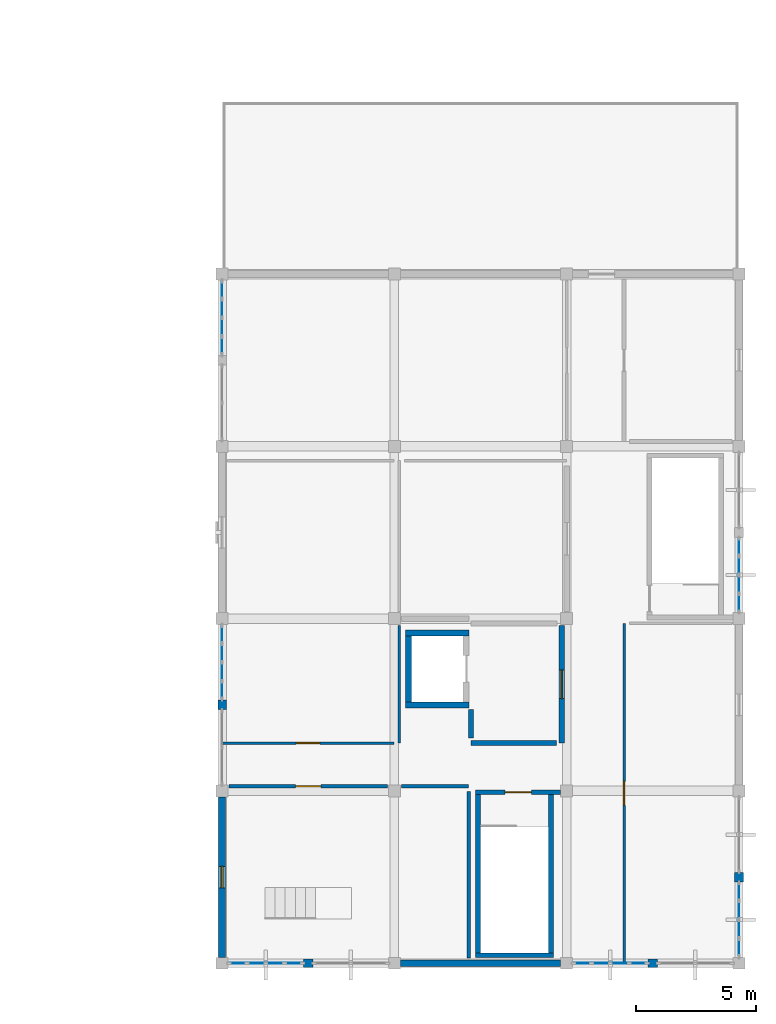
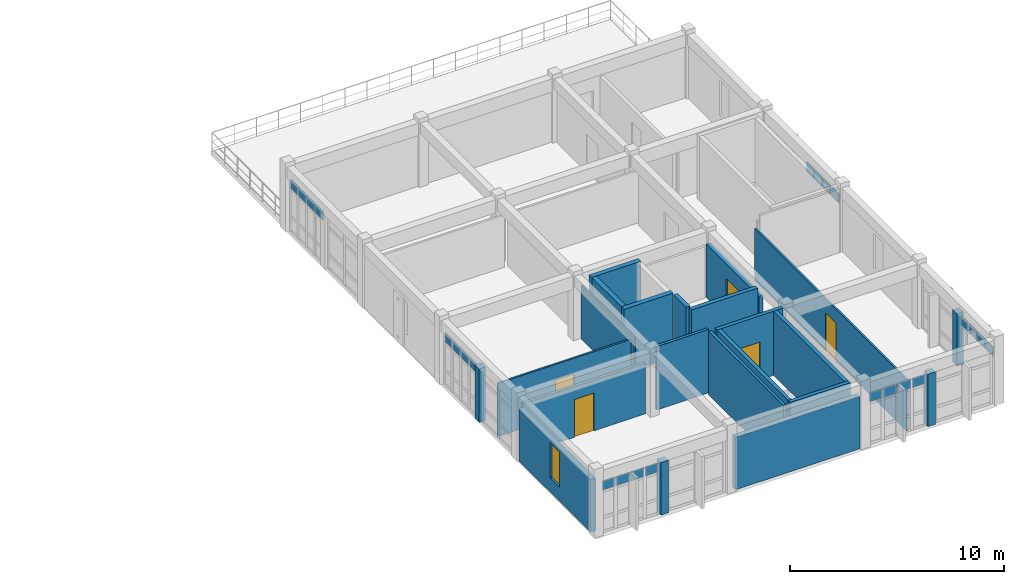
# One storey, part 10 of 14: 24 plates, 22 walls, 5 doors, 1 window, 6 openings, 6 elements without a shape of their own.
"""IFC4 building model written with IfcOpenShell, lengths in metres."""

from ifc_helpers import new_model, si_unit, direction, frame, frame_2d, origin, origin_2d, place, context, subcontext, project, spatial, rectangle, extrude, material, layer, layer_set, type_object, element, fill, aggregate, save


model = new_model("IFC4")

# Units and contexts
model_context = context("Model", 3, precision=1e-05, world=origin(), true_north=direction((0.0, 1.0)))
body_context = subcontext(model_context, "Body", "Model", "MODEL_VIEW")
ifc_project = project(units=[si_unit("LENGTHUNIT", "METRE"), si_unit("AREAUNIT", "SQUARE_METRE"), si_unit("VOLUMEUNIT", "CUBIC_METRE"), si_unit("PLANEANGLEUNIT", "RADIAN"), si_unit("MASSUNIT", "GRAM", prefix="KILO")], contexts=[model_context])

# Site, building, storey
site_placement = place(None, origin())
site = spatial("IfcSite", under=ifc_project, at=site_placement, CompositionType="ELEMENT")
building_placement = place(site_placement, origin())
building = spatial("IfcBuilding", under=site, at=building_placement, Name="Koriwan Promenade Central Fire Station", CompositionType="ELEMENT")
storey_placement = place(building_placement, frame((0.0, 0.0, 21.300048828125)))
storey = spatial("IfcBuildingStorey", under=building, at=storey_placement, Name="L05", CompositionType="ELEMENT", Elevation=21.300048828125)

# Curtain wall, plates
ifc_material_1 = material(Name="Aluminium EN AW-6063-T6 and low-E glazing", Category="aluminium")
ifc_layer_1 = layer(ifc_material_1, 0.159912109375, Name="Aluminium EN AW-6063-T6 and low-E glazing")
ifc_layer_set_1 = layer_set([ifc_layer_1], Name="Aluminium EN AW-6063-T6 and low-E glazing")
curtain_wall_type_1 = type_object("IfcCurtainWallType", Name="CurtainWall_90_315x299", PredefinedType="USERDEFINED", material=ifc_layer_set_1)
curtain_wall_1_placement = place(storey_placement, origin())
curtain_wall_1 = element("IfcCurtainWall", 1, at=curtain_wall_1_placement, inside=storey, type_object=curtain_wall_type_1, Name="V5 L05 unitised curtain wall 277", ObjectType="UNITISED CURTAIN WALL", PredefinedType="USERDEFINED")
ifc_material_2 = material(Name="Solar-control low-E acoustic glazing", Category="glass")
ifc_layer_2 = layer(ifc_material_2, 0.031982421875, Name="Solar-control low-E acoustic glazing")
ifc_layer_set_2 = layer_set([ifc_layer_2], Name="Solar-control low-E acoustic glazing")
plate_type = type_object("IfcPlateType", Name="CWPanel_32", PredefinedType="CURTAIN_PANEL", material=ifc_layer_set_2)
plate_1_placement = place(storey_placement, frame((172.800048828125, 0.66259765625, 2.37744140625), z_axis=(0.0, 0.0, 1.0), x_axis=(0.0, 1.0, 0.0)))
plate_1 = element("IfcPlate", 2, at=plate_1_placement, type_object=plate_type, Name="CW-90 panel 1.3", PredefinedType="CURTAIN_PANEL", context=body_context, shape_type="SweptSolid", body=[
    extrude(rectangle(XDim=0.675048828125, YDim=0.031982421875, at=origin_2d()), origin(), (0.0, 0.0, 1.0), 0.53759765625),
])
plate_2_placement = place(storey_placement, frame((172.800048828125, 1.43115234375, 2.37744140625), z_axis=(0.0, 0.0, 1.0), x_axis=(0.0, 1.0, 0.0)))
plate_2 = element("IfcPlate", 3, at=plate_2_placement, type_object=plate_type, Name="CW-90 panel 2.3", PredefinedType="CURTAIN_PANEL", context=body_context, shape_type="SweptSolid", body=[
    extrude(rectangle(XDim=0.71240234375, YDim=0.031982421875, at=origin_2d()), origin(), (0.0, 0.0, 1.0), 0.53759765625),
])
plate_3_placement = place(storey_placement, frame((172.800048828125, 2.21875, 2.37744140625), z_axis=(0.0, 0.0, 1.0), x_axis=(0.0, 1.0, 0.0)))
plate_3 = element("IfcPlate", 4, at=plate_3_placement, type_object=plate_type, Name="CW-90 panel 3.3", PredefinedType="CURTAIN_PANEL", context=body_context, shape_type="SweptSolid", body=[
    extrude(rectangle(XDim=0.71240234375, YDim=0.031982421875, at=origin_2d()), origin(), (0.0, 0.0, 1.0), 0.53759765625),
])
plate_4_placement = place(storey_placement, frame((172.800048828125, 2.987548828125, 2.37744140625), z_axis=(0.0, 0.0, 1.0), x_axis=(0.0, 1.0, 0.0)))
plate_4 = element("IfcPlate", 5, at=plate_4_placement, type_object=plate_type, Name="CW-90 panel 4.3", PredefinedType="CURTAIN_PANEL", context=body_context, shape_type="SweptSolid", body=[
    extrude(rectangle(XDim=0.675048828125, YDim=0.031982421875, at=origin_2d()), origin(), (0.0, 0.0, 1.0), 0.53759765625),
])
aggregate(curtain_wall_1, [plate_1, plate_2, plate_3, plate_4])

curtain_wall_2_placement = place(storey_placement, origin())
curtain_wall_2 = element("IfcCurtainWall", 6, at=curtain_wall_2_placement, inside=storey, type_object=curtain_wall_type_1, Name="V5 L05 unitised curtain wall 279", ObjectType="UNITISED CURTAIN WALL", PredefinedType="USERDEFINED")
plate_5_placement = place(storey_placement, frame((172.800048828125, 15.0625, 2.37744140625), z_axis=(0.0, 0.0, 1.0), x_axis=(0.0, 1.0, 0.0)))
plate_5 = element("IfcPlate", 7, at=plate_5_placement, type_object=plate_type, Name="CW-90 panel 1.3", PredefinedType="CURTAIN_PANEL", context=body_context, shape_type="SweptSolid", body=[
    extrude(rectangle(XDim=0.675048828125, YDim=0.031982421875, at=origin_2d()), origin(), (0.0, 0.0, 1.0), 0.53759765625),
])
plate_6_placement = place(storey_placement, frame((172.800048828125, 15.831298828125, 2.37744140625), z_axis=(0.0, 0.0, 1.0), x_axis=(0.0, 1.0, 0.0)))
plate_6 = element("IfcPlate", 8, at=plate_6_placement, type_object=plate_type, Name="CW-90 panel 2.3", PredefinedType="CURTAIN_PANEL", context=body_context, shape_type="SweptSolid", body=[
    extrude(rectangle(XDim=0.71240234375, YDim=0.031982421875, at=origin_2d()), origin(), (0.0, 0.0, 1.0), 0.53759765625),
])
plate_7_placement = place(storey_placement, frame((172.800048828125, 16.61865234375, 2.37744140625), z_axis=(0.0, 0.0, 1.0), x_axis=(0.0, 1.0, 0.0)))
plate_7 = element("IfcPlate", 9, at=plate_7_placement, type_object=plate_type, Name="CW-90 panel 3.3", PredefinedType="CURTAIN_PANEL", context=body_context, shape_type="SweptSolid", body=[
    extrude(rectangle(XDim=0.71240234375, YDim=0.031982421875, at=origin_2d()), origin(), (0.0, 0.0, 1.0), 0.53759765625),
])
plate_8_placement = place(storey_placement, frame((172.800048828125, 17.387451171875, 2.37744140625), z_axis=(0.0, 0.0, 1.0), x_axis=(0.0, 1.0, 0.0)))
plate_8 = element("IfcPlate", 10, at=plate_8_placement, type_object=plate_type, Name="CW-90 panel 4.3", PredefinedType="CURTAIN_PANEL", context=body_context, shape_type="SweptSolid", body=[
    extrude(rectangle(XDim=0.675048828125, YDim=0.031982421875, at=origin_2d()), origin(), (0.0, 0.0, 1.0), 0.53759765625),
])
aggregate(curtain_wall_2, [plate_5, plate_6, plate_7, plate_8])

ifc_layer_3 = layer(ifc_material_1, 0.159912109375, Name="Aluminium EN AW-6063-T6 and low-E glazing")
ifc_layer_set_3 = layer_set([ifc_layer_3], Name="Aluminium EN AW-6063-T6 and low-E glazing")
curtain_wall_type_2 = type_object("IfcCurtainWallType", Name="CurtainWall_91_315x304", PredefinedType="USERDEFINED", material=ifc_layer_set_3)
curtain_wall_3_placement = place(storey_placement, origin())
curtain_wall_3 = element("IfcCurtainWall", 11, at=curtain_wall_3_placement, inside=storey, type_object=curtain_wall_type_2, Name="V5 L05 unitised curtain wall 281", ObjectType="UNITISED CURTAIN WALL", PredefinedType="USERDEFINED")
plate_9_placement = place(storey_placement, frame((151.199951171875, 28.137451171875, 2.427490234375), z_axis=(0.0, 0.0, 1.0), x_axis=(0.0, -1.0, 0.0)))
plate_9 = element("IfcPlate", 12, at=plate_9_placement, type_object=plate_type, Name="CW-91 panel 1.3", PredefinedType="CURTAIN_PANEL", context=body_context, shape_type="SweptSolid", body=[
    extrude(rectangle(XDim=0.675048828125, YDim=0.031982421875, at=origin_2d()), origin(), (0.0, 0.0, 1.0), 0.53759765625),
])
plate_10_placement = place(storey_placement, frame((151.199951171875, 27.36865234375, 2.427490234375), z_axis=(0.0, 0.0, 1.0), x_axis=(0.0, -1.0, 0.0)))
plate_10 = element("IfcPlate", 13, at=plate_10_placement, type_object=plate_type, Name="CW-91 panel 2.3", PredefinedType="CURTAIN_PANEL", context=body_context, shape_type="SweptSolid", body=[
    extrude(rectangle(XDim=0.71240234375, YDim=0.031982421875, at=origin_2d()), origin(), (0.0, 0.0, 1.0), 0.53759765625),
])
plate_11_placement = place(storey_placement, frame((151.199951171875, 26.581298828125, 2.427490234375), z_axis=(0.0, 0.0, 1.0), x_axis=(0.0, -1.0, 0.0)))
plate_11 = element("IfcPlate", 14, at=plate_11_placement, type_object=plate_type, Name="CW-91 panel 3.3", PredefinedType="CURTAIN_PANEL", context=body_context, shape_type="SweptSolid", body=[
    extrude(rectangle(XDim=0.71240234375, YDim=0.031982421875, at=origin_2d()), origin(), (0.0, 0.0, 1.0), 0.53759765625),
])
plate_12_placement = place(storey_placement, frame((151.199951171875, 25.8125, 2.427490234375), z_axis=(0.0, 0.0, 1.0), x_axis=(0.0, -1.0, 0.0)))
plate_12 = element("IfcPlate", 15, at=plate_12_placement, type_object=plate_type, Name="CW-91 panel 4.3", PredefinedType="CURTAIN_PANEL", context=body_context, shape_type="SweptSolid", body=[
    extrude(rectangle(XDim=0.675048828125, YDim=0.031982421875, at=origin_2d()), origin(), (0.0, 0.0, 1.0), 0.53759765625),
])
aggregate(curtain_wall_3, [plate_9, plate_10, plate_11, plate_12])

curtain_wall_4_placement = place(storey_placement, origin())
curtain_wall_4 = element("IfcCurtainWall", 16, at=curtain_wall_4_placement, inside=storey, type_object=curtain_wall_type_2, Name="V5 L05 unitised curtain wall 283", ObjectType="UNITISED CURTAIN WALL", PredefinedType="USERDEFINED")
plate_13_placement = place(storey_placement, frame((151.199951171875, 13.737548828125, 2.427490234375), z_axis=(0.0, 0.0, 1.0), x_axis=(0.0, -1.0, 0.0)))
plate_13 = element("IfcPlate", 17, at=plate_13_placement, type_object=plate_type, Name="CW-91 panel 1.3", PredefinedType="CURTAIN_PANEL", context=body_context, shape_type="SweptSolid", body=[
    extrude(rectangle(XDim=0.675048828125, YDim=0.031982421875, at=origin_2d()), origin(), (0.0, 0.0, 1.0), 0.53759765625),
])
plate_14_placement = place(storey_placement, frame((151.199951171875, 12.96875, 2.427490234375), z_axis=(0.0, 0.0, 1.0), x_axis=(0.0, -1.0, 0.0)))
plate_14 = element("IfcPlate", 18, at=plate_14_placement, type_object=plate_type, Name="CW-91 panel 2.3", PredefinedType="CURTAIN_PANEL", context=body_context, shape_type="SweptSolid", body=[
    extrude(rectangle(XDim=0.71240234375, YDim=0.031982421875, at=origin_2d()), origin(), (0.0, 0.0, 1.0), 0.53759765625),
])
plate_15_placement = place(storey_placement, frame((151.199951171875, 12.18115234375, 2.427490234375), z_axis=(0.0, 0.0, 1.0), x_axis=(0.0, -1.0, 0.0)))
plate_15 = element("IfcPlate", 19, at=plate_15_placement, type_object=plate_type, Name="CW-91 panel 3.3", PredefinedType="CURTAIN_PANEL", context=body_context, shape_type="SweptSolid", body=[
    extrude(rectangle(XDim=0.71240234375, YDim=0.031982421875, at=origin_2d()), origin(), (0.0, 0.0, 1.0), 0.53759765625),
])
plate_16_placement = place(storey_placement, frame((151.199951171875, 11.41259765625, 2.427490234375), z_axis=(0.0, 0.0, 1.0), x_axis=(0.0, -1.0, 0.0)))
plate_16 = element("IfcPlate", 20, at=plate_16_placement, type_object=plate_type, Name="CW-91 panel 4.3", PredefinedType="CURTAIN_PANEL", context=body_context, shape_type="SweptSolid", body=[
    extrude(rectangle(XDim=0.675048828125, YDim=0.031982421875, at=origin_2d()), origin(), (0.0, 0.0, 1.0), 0.53759765625),
])
aggregate(curtain_wall_4, [plate_13, plate_14, plate_15, plate_16])

curtain_wall_5_placement = place(storey_placement, origin())
curtain_wall_5 = element("IfcCurtainWall", 21, at=curtain_wall_5_placement, inside=storey, type_object=curtain_wall_type_1, Name="V5 L05 unitised curtain wall 285", ObjectType="UNITISED CURTAIN WALL", PredefinedType="USERDEFINED")
plate_17_placement = place(storey_placement, frame((151.862548828125, 0.0, 2.37744140625), z_axis=(0.0, 0.0, 1.0), x_axis=(1.0, 0.0, 0.0)))
plate_17 = element("IfcPlate", 22, at=plate_17_placement, type_object=plate_type, Name="CW-90 panel 1.3", PredefinedType="CURTAIN_PANEL", context=body_context, shape_type="SweptSolid", body=[
    extrude(rectangle(XDim=0.675048828125, YDim=0.031982421875, at=origin_2d()), origin(), (0.0, 0.0, 1.0), 0.53759765625),
])
plate_18_placement = place(storey_placement, frame((152.63134765625, 0.0, 2.37744140625), z_axis=(0.0, 0.0, 1.0), x_axis=(1.0, 0.0, 0.0)))
plate_18 = element("IfcPlate", 23, at=plate_18_placement, type_object=plate_type, Name="CW-90 panel 2.3", PredefinedType="CURTAIN_PANEL", context=body_context, shape_type="SweptSolid", body=[
    extrude(rectangle(XDim=0.71240234375, YDim=0.031982421875, at=origin_2d()), origin(), (0.0, 0.0, 1.0), 0.53759765625),
])
plate_19_placement = place(storey_placement, frame((153.418701171875, 0.0, 2.37744140625), z_axis=(0.0, 0.0, 1.0), x_axis=(1.0, 0.0, 0.0)))
plate_19 = element("IfcPlate", 24, at=plate_19_placement, type_object=plate_type, Name="CW-90 panel 3.3", PredefinedType="CURTAIN_PANEL", context=body_context, shape_type="SweptSolid", body=[
    extrude(rectangle(XDim=0.71240234375, YDim=0.031982421875, at=origin_2d()), origin(), (0.0, 0.0, 1.0), 0.53759765625),
])
plate_20_placement = place(storey_placement, frame((154.1875, 0.0, 2.37744140625), z_axis=(0.0, 0.0, 1.0), x_axis=(1.0, 0.0, 0.0)))
plate_20 = element("IfcPlate", 25, at=plate_20_placement, type_object=plate_type, Name="CW-90 panel 4.3", PredefinedType="CURTAIN_PANEL", context=body_context, shape_type="SweptSolid", body=[
    extrude(rectangle(XDim=0.675048828125, YDim=0.031982421875, at=origin_2d()), origin(), (0.0, 0.0, 1.0), 0.53759765625),
])
aggregate(curtain_wall_5, [plate_17, plate_18, plate_19, plate_20])

curtain_wall_6_placement = place(storey_placement, origin())
curtain_wall_6 = element("IfcCurtainWall", 26, at=curtain_wall_6_placement, inside=storey, type_object=curtain_wall_type_1, Name="V5 L05 unitised curtain wall 287", ObjectType="UNITISED CURTAIN WALL", PredefinedType="USERDEFINED")
plate_21_placement = place(storey_placement, frame((166.262451171875, 0.0, 2.37744140625), z_axis=(0.0, 0.0, 1.0), x_axis=(1.0, 0.0, 0.0)))
plate_21 = element("IfcPlate", 27, at=plate_21_placement, type_object=plate_type, Name="CW-90 panel 1.3", PredefinedType="CURTAIN_PANEL", context=body_context, shape_type="SweptSolid", body=[
    extrude(rectangle(XDim=0.675048828125, YDim=0.031982421875, at=origin_2d()), origin(), (0.0, 0.0, 1.0), 0.53759765625),
])
plate_22_placement = place(storey_placement, frame((167.03125, 0.0, 2.37744140625), z_axis=(0.0, 0.0, 1.0), x_axis=(1.0, 0.0, 0.0)))
plate_22 = element("IfcPlate", 28, at=plate_22_placement, type_object=plate_type, Name="CW-90 panel 2.3", PredefinedType="CURTAIN_PANEL", context=body_context, shape_type="SweptSolid", body=[
    extrude(rectangle(XDim=0.71240234375, YDim=0.031982421875, at=origin_2d()), origin(), (0.0, 0.0, 1.0), 0.53759765625),
])
plate_23_placement = place(storey_placement, frame((167.81884765625, 0.0, 2.37744140625), z_axis=(0.0, 0.0, 1.0), x_axis=(1.0, 0.0, 0.0)))
plate_23 = element("IfcPlate", 29, at=plate_23_placement, type_object=plate_type, Name="CW-90 panel 3.3", PredefinedType="CURTAIN_PANEL", context=body_context, shape_type="SweptSolid", body=[
    extrude(rectangle(XDim=0.71240234375, YDim=0.031982421875, at=origin_2d()), origin(), (0.0, 0.0, 1.0), 0.53759765625),
])
plate_24_placement = place(storey_placement, frame((168.58740234375, 0.0, 2.37744140625), z_axis=(0.0, 0.0, 1.0), x_axis=(1.0, 0.0, 0.0)))
plate_24 = element("IfcPlate", 30, at=plate_24_placement, type_object=plate_type, Name="CW-90 panel 4.3", PredefinedType="CURTAIN_PANEL", context=body_context, shape_type="SweptSolid", body=[
    extrude(rectangle(XDim=0.675048828125, YDim=0.031982421875, at=origin_2d()), origin(), (0.0, 0.0, 1.0), 0.53759765625),
])
aggregate(curtain_wall_6, [plate_21, plate_22, plate_23, plate_24])

# Walls
ifc_material_3 = material(Name="Natural sillar sandstone ashlar", Category="masonry")
ifc_layer_4 = layer(ifc_material_3, 0.360107421875, Name="Natural sillar sandstone ashlar")
ifc_layer_set_4 = layer_set([ifc_layer_4], Name="Natural sillar sandstone ashlar")
wall_type_1 = type_object("IfcWallType", Name="ExtWall_SillarBase_360", PredefinedType="SOLIDWALL", material=ifc_layer_set_4)
wall_1_placement = place(storey_placement, frame((172.800048828125, 3.39990234375, 0.0), z_axis=(0.0, 0.0, 1.0), x_axis=(0.0, 1.0, 0.0)))
element("IfcWall", 31, at=wall_1_placement, inside=storey, type_object=wall_type_1, Name="V5 L05 sillar facade mullion pier 321", PredefinedType="SOLIDWALL", context=body_context, shape_type="SweptSolid", body=[
    extrude(rectangle(XDim=0.400146484375, YDim=0.360107421875, at=frame_2d((0.2001953125, 0.0))), origin(), (0.0, 0.0, 1.0), 2.989990234375),
])
wall_2_placement = place(storey_placement, frame((151.199951171875, 11.0, 0.0), z_axis=(0.0, 0.0, 1.0), x_axis=(0.0, -1.0, 0.0)))
element("IfcWall", 32, at=wall_2_placement, inside=storey, type_object=wall_type_1, Name="V5 L05 sillar facade mullion pier 330", PredefinedType="SOLIDWALL", context=body_context, shape_type="SweptSolid", body=[
    extrude(rectangle(XDim=0.39990234375, YDim=0.360107421875, at=frame_2d((0.199951171875, 0.0))), origin(), (0.0, 0.0, 1.0), 3.0400390625),
])
for number, where, z_axis, x_axis, name in (
    (33, (154.60009765625, 0.0, 0.0), (0.0, 0.0, 1.0), (1.0, 0.0, 0.0), "V5 L05 sillar facade mullion pier 332"),
    (34, (169.0, 0.0, 0.0), (0.0, 0.0, 1.0), (1.0, 0.0, 0.0), "V5 L05 sillar facade mullion pier 334"),
):
    element("IfcWall", number, at=place(storey_placement, frame(where, z_axis=z_axis, x_axis=x_axis)), inside=storey, type_object=wall_type_1, Name=name, PredefinedType="SOLIDWALL", context=body_context, shape_type="SweptSolid", body=[
        extrude(rectangle(XDim=0.39990234375, YDim=0.360107421875, at=frame_2d((0.199951171875, 0.0))), origin(), (0.0, 0.0, 1.0), 2.989990234375),
    ])

# Wall, opening, window
ifc_material_4 = material(Name="Precast concrete C40/50", Category="concrete")
ifc_layer_5 = layer(ifc_material_4, 0.280029296875, Name="Precast concrete C40/50")
ifc_layer_set_5 = layer_set([ifc_layer_5], Name="Precast concrete C40/50")
wall_type_2 = type_object("IfcWallType", Name="ExtWall_Terracotta_280", PredefinedType="ELEMENTEDWALL", material=ifc_layer_set_5)
wall_3_placement = place(storey_placement, frame((151.199951171875, 6.949951171875, 0.0), z_axis=(0.0, 0.0, 1.0), x_axis=(0.0, -1.0, 0.0)))
wall_3 = element("IfcWall", 35, at=wall_3_placement, inside=storey, type_object=wall_type_2, Name="V5 L05 exterior wall 331", PredefinedType="ELEMENTEDWALL", context=body_context, shape_type="SweptSolid", body=[
    extrude(rectangle(XDim=6.699951171875, YDim=0.280029296875, at=frame_2d((3.35009765625, 0.0))), origin(), (0.0, 0.0, 1.0), 2.989990234375),
])
opening_1_placement = place(wall_3_placement, frame((2.89990234375, 0.0, 0.800048828125)))
opening_1 = element("IfcOpeningElement", 36, at=opening_1_placement, cuts=wall_3, Name="Opening W-04", PredefinedType="OPENING", context=body_context, shape_type="SweptSolid", body=[
    extrude(rectangle(XDim=0.89990234375, YDim=2.0, at=frame_2d((0.449951171875, 1.0))), frame((0.0, 0.15185546875, 0.0), z_axis=(0.0, -1.0, 0.0), x_axis=(1.0, 0.0, 0.0)), (0.0, 0.0, 1.0), 0.303955078125),
])
ifc_material_5 = material(Name="Solar-control low-E laminated double glazing", Category="glass")
window_type = type_object("IfcWindowType", Name="Win_HQ_900x2000", PartitioningType="SINGLE_PANEL", PredefinedType="WINDOW", material=ifc_material_5)
window_placement = place(opening_1_placement, origin())
window = element("IfcWindow", 37, at=window_placement, inside=storey, type_object=window_type, Name="V5 L05 window 0105", OverallHeight=2.0, OverallWidth=0.89990234375, PartitioningType="SINGLE_PANEL", PredefinedType="WINDOW", context=body_context, shape_type="SweptSolid", body=[
    extrude(rectangle(XDim=0.89990234375, YDim=2.0, at=frame_2d((0.449951171875, 1.0))), frame((0.0, 0.030029296875, 0.0), z_axis=(0.0, -1.0, 0.0), x_axis=(1.0, 0.0, 0.0)), (0.0, 0.0, 1.0), 0.06005859375),
])
fill(opening_1, window)

# Wall
wall_4_placement = place(storey_placement, frame((158.64990234375, 0.0, 0.0), z_axis=(0.0, 0.0, 1.0), x_axis=(1.0, 0.0, 0.0)))
element("IfcWall", 38, at=wall_4_placement, inside=storey, type_object=wall_type_2, Name="V5 L05 exterior wall 333", PredefinedType="ELEMENTEDWALL", context=body_context, shape_type="SweptSolid", body=[
    extrude(rectangle(XDim=6.7001953125, YDim=0.280029296875, at=frame_2d((3.35009765625, 0.0))), origin(), (0.0, 0.0, 1.0), 2.989990234375),
])

# Wall, opening, door
ifc_material_6 = material(Name="Gypsum board acoustic stud partition", Category="gypsum")
ifc_layer_6 = layer(ifc_material_6, 0.10009765625, Name="Gypsum board acoustic stud partition")
ifc_layer_set_6 = layer_set([ifc_layer_6], Name="Gypsum board acoustic stud partition")
wall_type_3 = type_object("IfcWallType", Name="IntWall_Drywall_100", PredefinedType="PARTITIONING", material=ifc_layer_set_6)
wall_5_placement = place(storey_placement, frame((168.0, 0.0, 0.0), z_axis=(0.0, 0.0, 1.0), x_axis=(0.0, 1.0, 0.0)))
wall_5 = element("IfcWall", 39, at=wall_5_placement, inside=storey, type_object=wall_type_3, Name="Chief Fire Officer Command Suite partition W", PredefinedType="PARTITIONING", context=body_context, shape_type="SweptSolid", body=[
    extrude(rectangle(XDim=14.199951171875, YDim=0.10009765625, at=frame_2d((7.10009765625, 0.0))), origin(), (0.0, 0.0, 1.0), 2.93798828125),
])
opening_2_placement = place(wall_5_placement, frame((6.60009765625, 0.0, 0.0)))
opening_2 = element("IfcOpeningElement", 40, at=opening_2_placement, cuts=wall_5, Name="Opening D-191", PredefinedType="OPENING", context=body_context, shape_type="SweptSolid", body=[
    extrude(rectangle(XDim=1.0, YDim=2.14990234375, at=frame_2d((0.5, 1.074951171875))), frame((0.0, 0.06201171875, 0.0), z_axis=(0.0, -1.0, 0.0), x_axis=(1.0, 0.0, 0.0)), (0.0, 0.0, 1.0), 0.1240234375),
])
ifc_material_7 = material(Name="Hardwood veneer solid-core timber", Category="wood")
door_type_1 = type_object("IfcDoorType", Name="RoomDoor_Office_1000x2150", OperationType="NOTDEFINED", PredefinedType="DOOR", material=ifc_material_7)
door_1_placement = place(opening_2_placement, origin())
door_1 = element("IfcDoor", 41, at=door_1_placement, inside=storey, type_object=door_type_1, Name="Chief Fire Officer Command Suite Door D-191", OperationType="SINGLE_SWING_LEFT", OverallHeight=2.14990234375, OverallWidth=1.0, PredefinedType="DOOR", context=body_context, shape_type="SweptSolid", body=[
    extrude(rectangle(XDim=1.0, YDim=2.14990234375, at=frame_2d((0.5, 1.074951171875))), frame((0.0, 0.02490234375, 0.0), z_axis=(0.0, -1.0, 0.0), x_axis=(1.0, 0.0, 0.0)), (0.0, 0.0, 1.0), 0.050048828125),
])
fill(opening_2, door_1)

# Wall
wall_6_placement = place(storey_placement, frame((158.60009765625, 9.199951171875, 0.0), z_axis=(0.0, 0.0, 1.0), x_axis=(0.0, 1.0, 0.0)))
element("IfcWall", 42, at=wall_6_placement, inside=storey, type_object=wall_type_3, Name="Crisis Communications and Press Room partition E", PredefinedType="PARTITIONING", context=body_context, shape_type="SweptSolid", body=[
    extrude(rectangle(XDim=4.91015625, YDim=0.10009765625, at=frame_2d((2.455078125, 0.0))), origin(), (0.0, 0.0, 1.0), 3.037841796875),
])

# Wall, opening, door
wall_7_placement = place(storey_placement, frame((151.199951171875, 9.199951171875, 0.0), z_axis=(0.0, 0.0, 1.0), x_axis=(1.0, 0.0, 0.0)))
wall_7 = element("IfcWall", 43, at=wall_7_placement, inside=storey, type_object=wall_type_3, Name="Crisis Communications and Press Room partition S", PredefinedType="PARTITIONING", context=body_context, shape_type="SweptSolid", body=[
    extrude(rectangle(XDim=7.179931640625, YDim=0.10009765625, at=frame_2d((3.58984375, 0.0))), origin(), (0.0, 0.0, 1.0), 3.037841796875),
])
opening_3_placement = place(wall_7_placement, frame((3.090087890625, 0.0, 0.0)))
opening_3 = element("IfcOpeningElement", 44, at=opening_3_placement, cuts=wall_7, Name="Opening D-192", PredefinedType="OPENING", context=body_context, shape_type="SweptSolid", body=[
    extrude(rectangle(XDim=1.0, YDim=2.14990234375, at=frame_2d((0.5, 1.074951171875))), frame((0.0, 0.06201171875, 0.0), z_axis=(0.0, -1.0, 0.0), x_axis=(1.0, 0.0, 0.0)), (0.0, 0.0, 1.0), 0.1240234375),
])
door_2_placement = place(opening_3_placement, origin())
door_2 = element("IfcDoor", 45, at=door_2_placement, inside=storey, type_object=door_type_1, Name="Crisis Communications and Press Room Door D-192", OperationType="SINGLE_SWING_RIGHT", OverallHeight=2.14990234375, OverallWidth=1.0, PredefinedType="DOOR", context=body_context, shape_type="SweptSolid", body=[
    extrude(rectangle(XDim=1.0, YDim=2.14990234375, at=frame_2d((0.5, 1.074951171875))), frame((0.0, 0.02490234375, 0.0), z_axis=(0.0, -1.0, 0.0), x_axis=(1.0, 0.0, 0.0)), (0.0, 0.0, 1.0), 0.050048828125),
])
fill(opening_3, door_2)

ifc_material_8 = material(Name="Clay brick plastered masonry wall", Category="masonry")
ifc_layer_7 = layer(ifc_material_8, 0.14990234375, Name="Clay brick plastered masonry wall")
ifc_layer_set_7 = layer_set([ifc_layer_7], Name="Clay brick plastered masonry wall")
wall_type_4 = type_object("IfcWallType", Name="IntWall_Masonry_150", PredefinedType="STANDARD", material=ifc_layer_set_7)
wall_8_placement = place(storey_placement, frame((151.489990234375, 7.39990234375, 0.0), z_axis=(0.0, 0.0, 1.0), x_axis=(1.0, 0.0, 0.0)))
wall_8 = element("IfcWall", 46, at=wall_8_placement, inside=storey, type_object=wall_type_4, Name="Metropolitan Incident Briefing Room partition N", PredefinedType="STANDARD", context=body_context, shape_type="SweptSolid", body=[
    extrude(rectangle(XDim=6.6201171875, YDim=0.14990234375, at=frame_2d((3.31005859375, 0.0))), origin(), (0.0, 0.0, 1.0), 2.887939453125),
])
opening_4_placement = place(wall_8_placement, frame((2.784912109375, 0.0, 0.0)))
opening_4 = element("IfcOpeningElement", 47, at=opening_4_placement, cuts=wall_8, Name="Opening D-190", PredefinedType="OPENING", context=body_context, shape_type="SweptSolid", body=[
    extrude(rectangle(XDim=1.050048828125, YDim=2.14990234375, at=frame_2d((0.52490234375, 1.074951171875))), frame((0.0, 0.0869140625, 0.0), z_axis=(0.0, -1.0, 0.0), x_axis=(1.0, 0.0, 0.0)), (0.0, 0.0, 1.0), 0.173828125),
])
door_type_2 = type_object("IfcDoorType", Name="RoomDoor_Class_1050x2150", OperationType="NOTDEFINED", PredefinedType="DOOR", material=ifc_material_7)
door_3_placement = place(opening_4_placement, origin())
door_3 = element("IfcDoor", 48, at=door_3_placement, inside=storey, type_object=door_type_2, Name="Metropolitan Incident Briefing Room Door D-190", OperationType="SINGLE_SWING_RIGHT", OverallHeight=2.14990234375, OverallWidth=1.050048828125, PredefinedType="DOOR", context=body_context, shape_type="SweptSolid", body=[
    extrude(rectangle(XDim=1.050048828125, YDim=2.14990234375, at=frame_2d((0.52490234375, 1.074951171875))), frame((0.0, 0.02490234375, 0.0), z_axis=(0.0, -1.0, 0.0), x_axis=(1.0, 0.0, 0.0)), (0.0, 0.0, 1.0), 0.050048828125),
])
fill(opening_4, door_3)

# Walls
wall_9_placement = place(storey_placement, frame((158.68994140625, 7.39990234375, 0.0), z_axis=(0.0, 0.0, 1.0), x_axis=(1.0, 0.0, 0.0)))
element("IfcWall", 49, at=wall_9_placement, inside=storey, type_object=wall_type_4, Name="Metropolitan Incident Briefing Room partition N", PredefinedType="STANDARD", context=body_context, shape_type="SweptSolid", body=[
    extrude(rectangle(XDim=2.81005859375, YDim=0.14990234375, at=frame_2d((1.405029296875, 0.0))), origin(), (0.0, 0.0, 1.0), 3.619873046875),
])
wall_10_placement = place(storey_placement, frame((161.5, 0.219970703125, 0.0), z_axis=(0.0, 0.0, 1.0), x_axis=(0.0, 1.0, 0.0)))
element("IfcWall", 50, at=wall_10_placement, inside=storey, type_object=wall_type_4, Name="Metropolitan Incident Briefing Room partition E", PredefinedType="STANDARD", context=body_context, shape_type="SweptSolid", body=[
    extrude(rectangle(XDim=6.9599609375, YDim=0.14990234375, at=frame_2d((3.47998046875, 0.0))), origin(), (0.0, 0.0, 1.0), 3.619873046875),
])

# Wall, opening, door
ifc_material_9 = material(Name="Concrete C35/45 compartment wall", Category="concrete")
ifc_layer_8 = layer(ifc_material_9, 0.219970703125, Name="Concrete C35/45 compartment wall")
ifc_layer_set_8 = layer_set([ifc_layer_8], Name="Concrete C35/45 compartment wall")
wall_type_5 = type_object("IfcWallType", Name="IntWall_Plant_220", PredefinedType="STANDARD", material=ifc_layer_set_8)
wall_11_placement = place(storey_placement, frame((165.39990234375, 9.199951171875, 0.0), z_axis=(0.0, 0.0, 1.0), x_axis=(0.0, 1.0, 0.0)))
wall_11 = element("IfcWall", 51, at=wall_11_placement, inside=storey, type_object=wall_type_5, Name="Headquarters Firefighting Lift Lobby L05 partition E", PredefinedType="STANDARD", context=body_context, shape_type="SweptSolid", body=[
    extrude(rectangle(XDim=4.91015625, YDim=0.219970703125, at=frame_2d((2.455078125, 0.0))), origin(), (0.0, 0.0, 1.0), 3.037841796875),
])
opening_5_placement = place(wall_11_placement, frame((1.85498046875, 0.0, 0.0)))
opening_5 = element("IfcOpeningElement", 52, at=opening_5_placement, cuts=wall_11, Name="Opening D-189", PredefinedType="OPENING", context=body_context, shape_type="SweptSolid", body=[
    extrude(rectangle(XDim=1.199951171875, YDim=2.199951171875, at=frame_2d((0.60009765625, 1.10009765625))), frame((0.0, 0.1220703125, 0.0), z_axis=(0.0, -1.0, 0.0), x_axis=(1.0, 0.0, 0.0)), (0.0, 0.0, 1.0), 0.243896484375),
])
ifc_material_10 = material(Name="Painted galvanized fire-door steel", Category="steel")
door_type_3 = type_object("IfcDoorType", Name="FireDoor_Lobby_1200x2200", OperationType="NOTDEFINED", PredefinedType="DOOR", material=ifc_material_10)
door_4_placement = place(opening_5_placement, origin())
door_4 = element("IfcDoor", 53, at=door_4_placement, inside=storey, type_object=door_type_3, Name="Headquarters Firefighting Lift Lobby L05 Door D-189", OperationType="SINGLE_SWING_LEFT", OverallHeight=2.199951171875, OverallWidth=1.199951171875, PredefinedType="DOOR", context=body_context, shape_type="SweptSolid", body=[
    extrude(rectangle(XDim=1.199951171875, YDim=2.199951171875, at=frame_2d((0.60009765625, 1.10009765625))), frame((0.0, 0.02490234375, 0.0), z_axis=(0.0, -1.0, 0.0), x_axis=(1.0, 0.0, 0.0)), (0.0, 0.0, 1.0), 0.050048828125),
])
fill(opening_5, door_4)

# Walls
wall_12_placement = place(storey_placement, frame((161.60009765625, 9.199951171875, 0.0), z_axis=(0.0, 0.0, 1.0), x_axis=(1.0, 0.0, 0.0)))
element("IfcWall", 54, at=wall_12_placement, inside=storey, type_object=wall_type_5, Name="Headquarters Firefighting Lift Lobby L05 partition S", PredefinedType="STANDARD", context=body_context, shape_type="SweptSolid", body=[
    extrude(rectangle(XDim=3.579833984375, YDim=0.219970703125, at=frame_2d((1.7900390625, 0.0))), origin(), (0.0, 0.0, 1.0), 3.619873046875),
])
wall_13_placement = place(storey_placement, frame((161.60009765625, 9.419921875, 0.0), z_axis=(0.0, 0.0, 1.0), x_axis=(0.0, 1.0, 0.0)))
element("IfcWall", 55, at=wall_13_placement, inside=storey, type_object=wall_type_5, Name="Headquarters Firefighting Lift Lobby L05 partition W", PredefinedType="STANDARD", context=body_context, shape_type="SweptSolid", body=[
    extrude(rectangle(XDim=1.173583984375, YDim=0.219970703125, at=frame_2d((0.5869140625, 0.0))), origin(), (0.0, 0.0, 1.0), 3.619873046875),
])
ifc_material_11 = material(Name="Concrete C40/50", Category="concrete")
ifc_layer_9 = layer(ifc_material_11, 0.199951171875, Name="Concrete C40/50")
ifc_layer_set_9 = layer_set([ifc_layer_9], Name="Concrete C40/50")
wall_type_6 = type_object("IfcWallType", Name="ShearWall_200", PredefinedType="SHEAR", material=ifc_layer_set_9)
wall_14_placement = place(storey_placement, frame((161.800048828125, 0.330078125, 0.0), z_axis=(0.0, 0.0, 1.0), x_axis=(1.0, 0.0, 0.0)))
element("IfcWall", 56, at=wall_14_placement, inside=storey, type_object=wall_type_6, Name="ST22 L05 structural stair wall S", PredefinedType="SHEAR", context=body_context, shape_type="SweptSolid", body=[
    extrude(rectangle(XDim=3.25, YDim=0.199951171875, at=frame_2d((1.625, 0.0))), origin(), (0.0, 0.0, 1.0), 3.64990234375),
])

# Wall, opening, door
wall_15_placement = place(storey_placement, frame((161.800048828125, 7.14990234375, 0.0), z_axis=(0.0, 0.0, 1.0), x_axis=(1.0, 0.0, 0.0)))
wall_15 = element("IfcWall", 57, at=wall_15_placement, inside=storey, type_object=wall_type_6, Name="ST22 L05 structural stair wall N", PredefinedType="SHEAR", context=body_context, shape_type="SweptSolid", body=[
    extrude(rectangle(XDim=3.550048828125, YDim=0.199951171875, at=frame_2d((1.77490234375, 0.0))), origin(), (0.0, 0.0, 1.0), 3.64990234375),
])
opening_6_placement = place(wall_15_placement, frame((1.22509765625, 0.0, 0.0)))
opening_6 = element("IfcOpeningElement", 58, at=opening_6_placement, cuts=wall_15, Name="Opening SD-037", PredefinedType="OPENING", context=body_context, shape_type="SweptSolid", body=[
    extrude(rectangle(XDim=1.10009765625, YDim=2.14990234375, at=frame_2d((0.550048828125, 1.074951171875))), frame((0.0, 0.11181640625, 0.0), z_axis=(0.0, -1.0, 0.0), x_axis=(1.0, 0.0, 0.0)), (0.0, 0.0, 1.0), 0.223876953125),
])
door_type_4 = type_object("IfcDoorType", Name="FireDoor_Stair_1100x2150", OperationType="NOTDEFINED", PredefinedType="DOOR", material=ifc_material_10)
door_5_placement = place(opening_6_placement, frame((1.10009765625, 0.0, 0.0), z_axis=(0.0, 0.0, 1.0), x_axis=(-1.0, 0.0, 0.0)))
door_5 = element("IfcDoor", 59, at=door_5_placement, inside=storey, type_object=door_type_4, Name="Protected Stair ST22 Fire Door SD-037", OperationType="SINGLE_SWING_RIGHT", OverallHeight=2.14990234375, OverallWidth=1.10009765625, PredefinedType="DOOR", context=body_context, shape_type="SweptSolid", body=[
    extrude(rectangle(XDim=1.10009765625, YDim=2.14990234375, at=frame_2d((0.550048828125, 1.074951171875))), frame((0.0, 0.02490234375, 0.0), z_axis=(0.0, -1.0, 0.0), x_axis=(1.0, 0.0, 0.0)), (0.0, 0.0, 1.0), 0.050048828125),
])
fill(opening_6, door_5)

# Walls
for number, where, z_axis, x_axis, name in (
    (60, (161.89990234375, 0.429931640625, 0.0), (0.0, 0.0, 1.0), (0.0, 1.0, 0.0), "ST22 L05 structural stair wall W"),
    (61, (164.949951171875, 0.429931640625, 0.0), (0.0, 0.0, 1.0), (0.0, 1.0, 0.0), "ST22 L05 structural stair wall E"),
):
    element("IfcWall", number, at=place(storey_placement, frame(where, z_axis=z_axis, x_axis=x_axis)), inside=storey, type_object=wall_type_6, Name=name, PredefinedType="SHEAR", context=body_context, shape_type="SweptSolid", body=[
        extrude(rectangle(XDim=6.6201171875, YDim=0.199951171875, at=frame_2d((3.31005859375, 0.0))), origin(), (0.0, 0.0, 1.0), 3.64990234375),
    ])
ifc_layer_10 = layer(ifc_material_11, 0.25, Name="Concrete C40/50")
ifc_layer_set_10 = layer_set([ifc_layer_10], Name="Concrete C40/50")
wall_type_7 = type_object("IfcWallType", Name="ShearWall_250", PredefinedType="SHEAR", material=ifc_layer_set_10)
for number, where, z_axis, x_axis, name in (
    (62, (158.875, 10.800048828125, 0.0), (0.0, 0.0, 1.0), (1.0, 0.0, 0.0), "LF01 shaft wall S (L05)"),
    (63, (158.875, 13.800048828125, 0.0), (0.0, 0.0, 1.0), (1.0, 0.0, 0.0), "LF01 shaft wall N (L05)"),
):
    element("IfcWall", number, at=place(storey_placement, frame(where, z_axis=z_axis, x_axis=x_axis)), inside=storey, type_object=wall_type_7, Name=name, PredefinedType="SHEAR", context=body_context, shape_type="SweptSolid", body=[
        extrude(rectangle(XDim=2.64990234375, YDim=0.25, at=frame_2d((1.324951171875, 0.0))), origin(), (0.0, 0.0, 1.0), 3.64990234375),
    ])
wall_16_placement = place(storey_placement, frame((159.0, 10.925048828125, 0.0), z_axis=(0.0, 0.0, 1.0), x_axis=(0.0, 1.0, 0.0)))
element("IfcWall", 64, at=wall_16_placement, inside=storey, type_object=wall_type_7, Name="LF01 shaft wall W (L05)", PredefinedType="SHEAR", context=body_context, shape_type="SweptSolid", body=[
    extrude(rectangle(XDim=2.75, YDim=0.25, at=frame_2d((1.375, 0.0))), origin(), (0.0, 0.0, 1.0), 3.64990234375),
])

save(model, "model.ifc")
